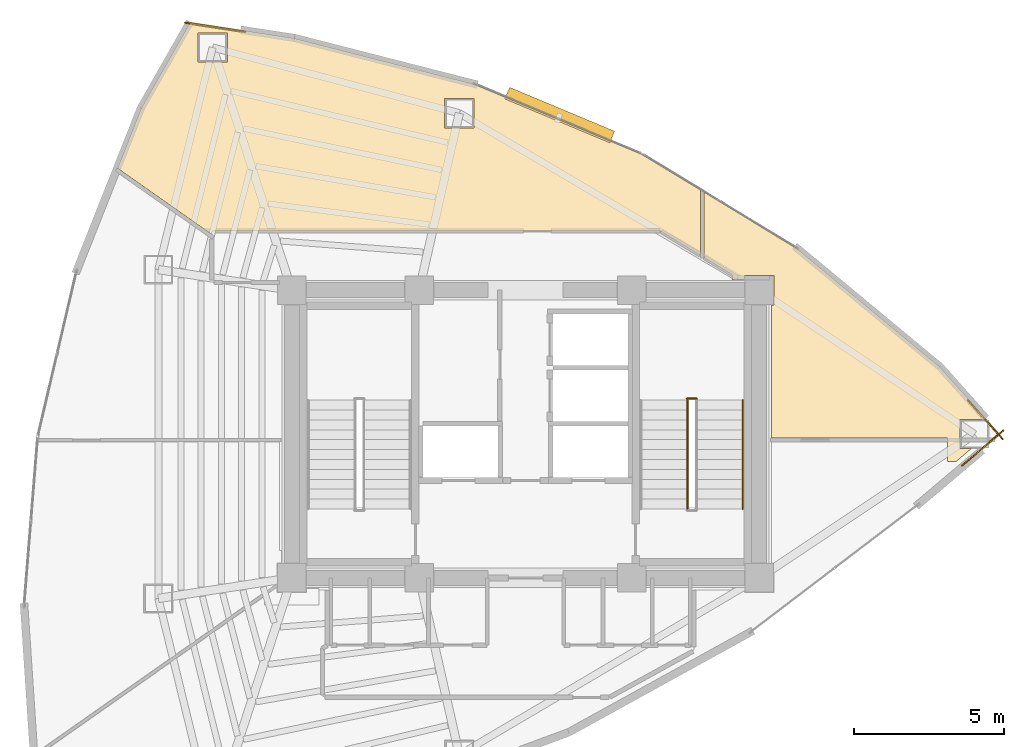
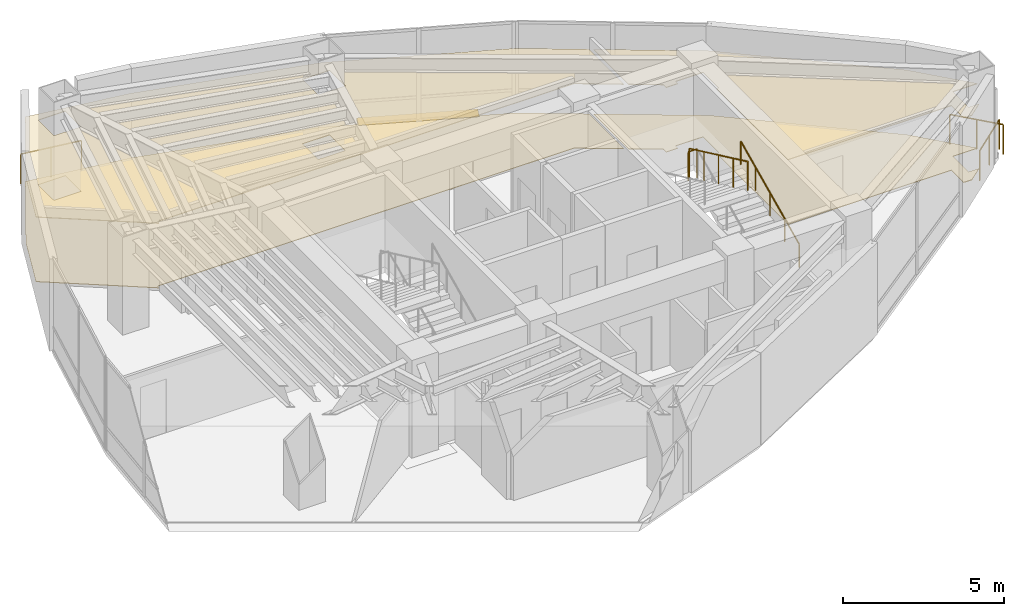
# One storey, part 15 of 15: 6 railings, 4 coverings, 1 shading device.
"""IFC4 building model written with IfcOpenShell, lengths in metres."""

from ifc_helpers import new_model, si_unit, direction, frame, origin, origin_2d, place, context, subcontext, project, spatial, polyline, rectangle, circle, outline, extrude, material, layer, layer_set, type_object, element, save


model = new_model("IFC4")

# Units and contexts
model_context = context("Model", 3, precision=1e-05, world=origin(), true_north=direction((0.0, 1.0)))
body_context = subcontext(model_context, "Body", "Model", "MODEL_VIEW")
ifc_project = project(units=[si_unit("LENGTHUNIT", "METRE"), si_unit("AREAUNIT", "SQUARE_METRE"), si_unit("VOLUMEUNIT", "CUBIC_METRE"), si_unit("PLANEANGLEUNIT", "RADIAN"), si_unit("MASSUNIT", "GRAM", prefix="KILO")], contexts=[model_context])

# Site, building, storey
site_placement = place(None, origin())
site = spatial("IfcSite", under=ifc_project, at=site_placement, CompositionType="ELEMENT")
building_placement = place(site_placement, origin())
building = spatial("IfcBuilding", under=site, at=building_placement, Name="Menara Vayukalpa", CompositionType="ELEMENT")
storey_placement = place(building_placement, frame((0.0, 0.0, 176.639892578125)))
storey = spatial("IfcBuildingStorey", under=building, at=storey_placement, Name="L44", CompositionType="ELEMENT", Elevation=176.639892578125)

# Coverings
ifc_material_1 = material(Name="Mineral Fibre Acoustic Ceiling Tile", Category="masonry")
ifc_layer_1 = layer(ifc_material_1, 0.02490234375)
ifc_layer_set_1 = layer_set([ifc_layer_1], Name="Mineral Fibre Acoustic Ceiling Tile")
covering_type_1 = type_object("IfcCoveringType", Name="COV-CLG1", PredefinedType="CEILING", material=ifc_layer_set_1)
covering_1_placement = place(storey_placement, frame((0.0, 0.0, 2.4501953125)))
element("IfcCovering", 1, at=covering_1_placement, inside=storey, type_object=covering_type_1, Name="L44 Executive Boardroom Acoustic Ceiling", PredefinedType="CEILING", context=body_context, shape_type="SweptSolid", body=[
    extrude(outline(polyline([(33.820068359375, 21.860107421875), (33.819091796875, 21.860107421875), (33.818115234375, 21.860107421875), (33.817138671875, 21.8603515625), (33.816162109375, 21.86083984375), (33.815185546875, 21.861083984375), (33.814453125, 21.86181640625), (33.813720703125, 21.8623046875), (33.81298828125, 21.86279296875), (33.812255859375, 21.86376953125), (33.811767578125, 21.864501953125), (33.811279296875, 21.865234375), (33.810791015625, 21.8662109375), (33.810302734375, 21.8671875), (33.810302734375, 21.867919921875), (33.81005859375, 21.868896484375), (33.81005859375, 21.8701171875), (33.81005859375, 26.31005859375), (33.889892578125, 26.31005859375), (33.889892578125, 27.2900390625), (32.909912109375, 27.2900390625), (32.909912109375, 27.14990234375), (32.489990234375, 27.14990234375), (32.489990234375, 27.322265625), (31.564697265625, 27.88427734375), (31.56396484375, 27.884765625), (31.563232421875, 27.885498046875), (31.5625, 27.88623046875), (31.561767578125, 27.886962890625), (31.561279296875, 27.887939453125), (31.560791015625, 27.888916015625), (31.560546875, 27.889892578125), (31.560302734375, 27.890869140625), (31.56005859375, 27.891845703125), (31.56005859375, 27.892822265625), (31.56005859375, 30.057373046875), (31.56005859375, 30.058349609375), (31.560302734375, 30.059326171875), (31.560302734375, 30.060302734375), (31.560791015625, 30.061279296875), (31.56103515625, 30.06201171875), (31.5615234375, 30.06298828125), (31.562255859375, 30.063720703125), (31.562744140625, 30.064453125), (31.5634765625, 30.06494140625), (31.564208984375, 30.065673828125), (31.565185546875, 30.066162109375), (31.56591796875, 30.06640625), (31.56689453125, 30.06689453125), (31.56787109375, 30.067138671875), (31.568603515625, 30.0673828125), (31.569580078125, 30.0673828125), (31.570556640625, 30.0673828125), (31.571533203125, 30.0673828125), (31.572509765625, 30.067138671875), (31.573486328125, 30.06689453125), (31.57421875, 30.06640625), (31.5751953125, 30.06591796875), (34.660888671875, 28.19140625), (34.662109375, 28.190673828125), (39.431640625, 24.2353515625), (39.43212890625, 24.23486328125), (39.432861328125, 24.234375), (40.98828125, 22.489990234375), (40.1005859375, 22.489990234375), (40.1005859375, 21.510009765625), (40.47802734375, 21.510009765625), (39.981689453125, 21.090087890625), (39.680419921875, 21.090087890625), (39.680419921875, 21.860107421875), (33.820068359375, 21.860107421875)])), origin(), (0.0, 0.0, 1.0), 0.02490234375),
])
covering_2_placement = place(storey_placement, frame((0.0, 0.0, 2.4501953125)))
element("IfcCovering", 2, at=covering_2_placement, inside=storey, type_object=covering_type_1, Name="L44 Client Conference Room Acoustic Ceiling", PredefinedType="CEILING", context=body_context, shape_type="SweptSolid", body=[
    extrude(outline(polyline([(14.402099609375, 35.739013671875), (14.40283203125, 35.73974609375), (14.4033203125, 35.740478515625), (14.404052734375, 35.7412109375), (14.40478515625, 35.741943359375), (14.40576171875, 35.742431640625), (14.406494140625, 35.742919921875), (14.407470703125, 35.743408203125), (14.408447265625, 35.74365234375), (14.409423828125, 35.743896484375), (14.410400390625, 35.743896484375), (14.411376953125, 35.743896484375), (14.412353515625, 35.743896484375), (17.879150390625, 35.2109375), (17.880126953125, 35.210693359375), (23.884765625, 33.67919921875), (23.885986328125, 33.6787109375), (29.478515625, 31.33935546875), (29.479248046875, 31.339111328125), (29.47998046875, 31.338623046875), (31.435546875, 30.150634765625), (31.436279296875, 30.150146484375), (31.43701171875, 30.149658203125), (31.437744140625, 30.14892578125), (31.4384765625, 30.148193359375), (31.43896484375, 30.1474609375), (31.439453125, 30.146484375), (31.439697265625, 30.1455078125), (31.440185546875, 30.144775390625), (31.440185546875, 30.143798828125), (31.4404296875, 30.142822265625), (31.4404296875, 30.141845703125), (31.440185546875, 30.140869140625), (31.440185546875, 30.140380859375), (31.43994140625, 30.134765625), (31.43994140625, 27.977783203125), (31.43994140625, 27.976806640625), (31.439697265625, 27.97607421875), (31.439697265625, 27.97509765625), (31.439208984375, 27.97412109375), (31.43896484375, 27.973388671875), (31.4384765625, 27.972412109375), (31.437744140625, 27.9716796875), (31.437255859375, 27.970947265625), (31.4365234375, 27.97021484375), (31.435791015625, 27.9697265625), (31.434814453125, 27.96923828125), (31.43408203125, 27.96875), (31.43310546875, 27.968505859375), (31.43212890625, 27.968017578125), (31.431396484375, 27.968017578125), (31.430419921875, 27.968017578125), (31.429443359375, 27.968017578125), (31.428466796875, 27.968017578125), (31.427490234375, 27.96826171875), (31.426513671875, 27.968505859375), (31.42578125, 27.968994140625), (31.4248046875, 27.969482421875), (30.12353515625, 28.759765625), (30.117919921875, 28.762939453125), (30.112060546875, 28.765380859375), (30.10595703125, 28.767333984375), (30.099609375, 28.768798828125), (30.093505859375, 28.769775390625), (30.0869140625, 28.77001953125), (15.2001953125, 28.77001953125), (15.193115234375, 28.76953125), (15.186279296875, 28.768798828125), (15.1796875, 28.76708984375), (15.173095703125, 28.7646484375), (15.1669921875, 28.76171875), (15.1611328125, 28.75830078125), (15.155517578125, 28.75390625), (15.150390625, 28.74951171875), (15.14599609375, 28.744384765625), (15.141845703125, 28.73876953125), (15.13818359375, 28.73291015625), (15.13525390625, 28.726806640625), (15.133056640625, 28.72021484375), (15.13134765625, 28.713623046875), (15.13037109375, 28.706787109375), (15.1298828125, 28.69970703125), (15.1298828125, 28.677001953125), (15.1298828125, 28.67578125), (15.1298828125, 28.6748046875), (15.129638671875, 28.674072265625), (15.129150390625, 28.673095703125), (15.12890625, 28.672119140625), (15.12841796875, 28.67138671875), (15.127685546875, 28.67041015625), (15.126953125, 28.669921875), (15.126220703125, 28.669189453125), (15.12548828125, 28.66845703125), (15.12451171875, 28.66796875), (15.123779296875, 28.66748046875), (15.122802734375, 28.667236328125), (15.121826171875, 28.6669921875), (15.120849609375, 28.6669921875), (15.119873046875, 28.6669921875), (15.118896484375, 28.6669921875), (15.117919921875, 28.6669921875), (15.116943359375, 28.66748046875), (15.115966796875, 28.667724609375), (15.114990234375, 28.668212890625), (15.1142578125, 28.668701171875), (11.985107421875, 30.867431640625), (11.984375, 30.8681640625), (11.983642578125, 30.868896484375), (11.983154296875, 30.869384765625), (11.982421875, 30.8701171875), (11.98193359375, 30.87109375), (11.981689453125, 30.871826171875), (11.981201171875, 30.872802734375), (11.981201171875, 30.873779296875), (11.98095703125, 30.874755859375), (11.98095703125, 30.875732421875), (11.98095703125, 30.876708984375), (11.981201171875, 30.87744140625), (11.981201171875, 30.87841796875), (11.981689453125, 30.87939453125), (12.77001953125, 32.87255859375), (12.7705078125, 32.873779296875), (14.402099609375, 35.739013671875)]), holes=[polyline([(15.644775390625, 35.392578125), (14.664794921875, 35.392578125), (14.664794921875, 34.41259765625), (15.644775390625, 34.41259765625), (15.644775390625, 35.392578125)]), polyline([(23.87939453125, 33.198486328125), (22.8994140625, 33.198486328125), (22.8994140625, 32.218505859375), (23.87939453125, 32.218505859375), (23.87939453125, 33.198486328125)])]), origin(), (0.0, 0.0, 1.0), 0.02490234375),
])
ifc_material_2 = material(Name="Porcelain Stoneware Floor Tile", Category="masonry")
ifc_layer_2 = layer(ifc_material_2, 0.02001953125)
ifc_layer_set_2 = layer_set([ifc_layer_2], Name="Porcelain Stoneware Floor Tile")
covering_type_2 = type_object("IfcCoveringType", Name="COV-FLR1", PredefinedType="FLOORING", material=ifc_layer_set_2)
covering_3_placement = place(storey_placement, origin())
element("IfcCovering", 3, at=covering_3_placement, inside=storey, type_object=covering_type_2, Name="L44 Executive Boardroom Porcelain Flooring", PredefinedType="FLOORING", context=body_context, shape_type="SweptSolid", body=[
    extrude(outline(polyline([(33.820068359375, 21.860107421875), (33.819091796875, 21.860107421875), (33.818115234375, 21.860107421875), (33.817138671875, 21.8603515625), (33.816162109375, 21.86083984375), (33.815185546875, 21.861083984375), (33.814453125, 21.86181640625), (33.813720703125, 21.8623046875), (33.81298828125, 21.86279296875), (33.812255859375, 21.86376953125), (33.811767578125, 21.864501953125), (33.811279296875, 21.865234375), (33.810791015625, 21.8662109375), (33.810302734375, 21.8671875), (33.810302734375, 21.867919921875), (33.81005859375, 21.868896484375), (33.81005859375, 21.8701171875), (33.81005859375, 26.31005859375), (33.889892578125, 26.31005859375), (33.889892578125, 27.2900390625), (32.909912109375, 27.2900390625), (32.909912109375, 27.14990234375), (32.489990234375, 27.14990234375), (32.489990234375, 27.322265625), (31.564697265625, 27.88427734375), (31.56396484375, 27.884765625), (31.563232421875, 27.885498046875), (31.5625, 27.88623046875), (31.561767578125, 27.886962890625), (31.561279296875, 27.887939453125), (31.560791015625, 27.888916015625), (31.560546875, 27.889892578125), (31.560302734375, 27.890869140625), (31.56005859375, 27.891845703125), (31.56005859375, 27.892822265625), (31.56005859375, 30.057373046875), (31.56005859375, 30.058349609375), (31.560302734375, 30.059326171875), (31.560302734375, 30.060302734375), (31.560791015625, 30.061279296875), (31.56103515625, 30.06201171875), (31.5615234375, 30.06298828125), (31.562255859375, 30.063720703125), (31.562744140625, 30.064453125), (31.5634765625, 30.06494140625), (31.564208984375, 30.065673828125), (31.565185546875, 30.066162109375), (31.56591796875, 30.06640625), (31.56689453125, 30.06689453125), (31.56787109375, 30.067138671875), (31.568603515625, 30.0673828125), (31.569580078125, 30.0673828125), (31.570556640625, 30.0673828125), (31.571533203125, 30.0673828125), (31.572509765625, 30.067138671875), (31.573486328125, 30.06689453125), (31.57421875, 30.06640625), (31.5751953125, 30.06591796875), (34.660888671875, 28.19140625), (34.662109375, 28.190673828125), (39.431640625, 24.2353515625), (39.43212890625, 24.23486328125), (39.432861328125, 24.234375), (40.98828125, 22.489990234375), (40.1005859375, 22.489990234375), (40.1005859375, 21.510009765625), (40.47802734375, 21.510009765625), (39.981689453125, 21.090087890625), (39.680419921875, 21.090087890625), (39.680419921875, 21.860107421875), (33.820068359375, 21.860107421875)])), origin(), (0.0, 0.0, 1.0), 0.02001953125),
])
covering_4_placement = place(storey_placement, origin())
element("IfcCovering", 4, at=covering_4_placement, inside=storey, type_object=covering_type_2, Name="L44 Client Conference Room Porcelain Flooring", PredefinedType="FLOORING", context=body_context, shape_type="SweptSolid", body=[
    extrude(outline(polyline([(14.402099609375, 35.739013671875), (14.40283203125, 35.73974609375), (14.4033203125, 35.740478515625), (14.404052734375, 35.7412109375), (14.40478515625, 35.741943359375), (14.40576171875, 35.742431640625), (14.406494140625, 35.742919921875), (14.407470703125, 35.743408203125), (14.408447265625, 35.74365234375), (14.409423828125, 35.743896484375), (14.410400390625, 35.743896484375), (14.411376953125, 35.743896484375), (14.412353515625, 35.743896484375), (17.879150390625, 35.2109375), (17.880126953125, 35.210693359375), (23.884765625, 33.67919921875), (23.885986328125, 33.6787109375), (29.478515625, 31.33935546875), (29.479248046875, 31.339111328125), (29.47998046875, 31.338623046875), (31.435546875, 30.150634765625), (31.436279296875, 30.150146484375), (31.43701171875, 30.149658203125), (31.437744140625, 30.14892578125), (31.4384765625, 30.148193359375), (31.43896484375, 30.1474609375), (31.439453125, 30.146484375), (31.439697265625, 30.1455078125), (31.440185546875, 30.144775390625), (31.440185546875, 30.143798828125), (31.4404296875, 30.142822265625), (31.4404296875, 30.141845703125), (31.440185546875, 30.140869140625), (31.440185546875, 30.140380859375), (31.43994140625, 30.134765625), (31.43994140625, 27.977783203125), (31.43994140625, 27.976806640625), (31.439697265625, 27.97607421875), (31.439697265625, 27.97509765625), (31.439208984375, 27.97412109375), (31.43896484375, 27.973388671875), (31.4384765625, 27.972412109375), (31.437744140625, 27.9716796875), (31.437255859375, 27.970947265625), (31.4365234375, 27.97021484375), (31.435791015625, 27.9697265625), (31.434814453125, 27.96923828125), (31.43408203125, 27.96875), (31.43310546875, 27.968505859375), (31.43212890625, 27.968017578125), (31.431396484375, 27.968017578125), (31.430419921875, 27.968017578125), (31.429443359375, 27.968017578125), (31.428466796875, 27.968017578125), (31.427490234375, 27.96826171875), (31.426513671875, 27.968505859375), (31.42578125, 27.968994140625), (31.4248046875, 27.969482421875), (30.12353515625, 28.759765625), (30.117919921875, 28.762939453125), (30.112060546875, 28.765380859375), (30.10595703125, 28.767333984375), (30.099609375, 28.768798828125), (30.093505859375, 28.769775390625), (30.0869140625, 28.77001953125), (15.2001953125, 28.77001953125), (15.193115234375, 28.76953125), (15.186279296875, 28.768798828125), (15.1796875, 28.76708984375), (15.173095703125, 28.7646484375), (15.1669921875, 28.76171875), (15.1611328125, 28.75830078125), (15.155517578125, 28.75390625), (15.150390625, 28.74951171875), (15.14599609375, 28.744384765625), (15.141845703125, 28.73876953125), (15.13818359375, 28.73291015625), (15.13525390625, 28.726806640625), (15.133056640625, 28.72021484375), (15.13134765625, 28.713623046875), (15.13037109375, 28.706787109375), (15.1298828125, 28.69970703125), (15.1298828125, 28.677001953125), (15.1298828125, 28.67578125), (15.1298828125, 28.6748046875), (15.129638671875, 28.674072265625), (15.129150390625, 28.673095703125), (15.12890625, 28.672119140625), (15.12841796875, 28.67138671875), (15.127685546875, 28.67041015625), (15.126953125, 28.669921875), (15.126220703125, 28.669189453125), (15.12548828125, 28.66845703125), (15.12451171875, 28.66796875), (15.123779296875, 28.66748046875), (15.122802734375, 28.667236328125), (15.121826171875, 28.6669921875), (15.120849609375, 28.6669921875), (15.119873046875, 28.6669921875), (15.118896484375, 28.6669921875), (15.117919921875, 28.6669921875), (15.116943359375, 28.66748046875), (15.115966796875, 28.667724609375), (15.114990234375, 28.668212890625), (15.1142578125, 28.668701171875), (11.985107421875, 30.867431640625), (11.984375, 30.8681640625), (11.983642578125, 30.868896484375), (11.983154296875, 30.869384765625), (11.982421875, 30.8701171875), (11.98193359375, 30.87109375), (11.981689453125, 30.871826171875), (11.981201171875, 30.872802734375), (11.981201171875, 30.873779296875), (11.98095703125, 30.874755859375), (11.98095703125, 30.875732421875), (11.98095703125, 30.876708984375), (11.981201171875, 30.87744140625), (11.981201171875, 30.87841796875), (11.981689453125, 30.87939453125), (12.77001953125, 32.87255859375), (12.7705078125, 32.873779296875), (14.402099609375, 35.739013671875)]), holes=[polyline([(15.644775390625, 35.392578125), (14.664794921875, 35.392578125), (14.664794921875, 34.41259765625), (15.644775390625, 34.41259765625), (15.644775390625, 35.392578125)]), polyline([(23.87939453125, 33.198486328125), (22.8994140625, 33.198486328125), (22.8994140625, 32.218505859375), (23.87939453125, 32.218505859375), (23.87939453125, 33.198486328125)])]), origin(), (0.0, 0.0, 1.0), 0.02001953125),
])

# Railings
ifc_material_3 = material(Name="Laminated Glass and Stainless Steel 316 Guardrail", Category="steel")
railing_type_1 = type_object("IfcRailingType", Name="RLG-EXT115", PredefinedType="GUARDRAIL", material=ifc_material_3)
railing_1_placement = place(storey_placement, frame((40.174072265625, 20.95166015625, 0.0)))
element("IfcRailing", 5, at=railing_1_placement, inside=storey, type_object=railing_type_1, Name="L44 Column Corner Spandrel Guardrail 01-1", PredefinedType="GUARDRAIL", context=body_context, shape_type="SweptSolid", body=[
    extrude(circle(Radius=0.02392578125, at=origin_2d()), frame((0.0, 0.0, 1.1259765625), z_axis=(0.763483853342, 0.645826916198, 0.0), x_axis=(-0.645826916198, 0.763483853342, 0.0)), (0.0, 0.0, 1.0), 1.80322265625),
    extrude(circle(Radius=0.02099609375, at=origin_2d()), origin(), (0.0, 0.0, 1.0), 1.101806640625),
    extrude(circle(Radius=0.02099609375, at=origin_2d()), frame((0.6884765625, 0.582275390625, 0.0)), (0.0, 0.0, 1.0), 1.101806640625),
    extrude(circle(Radius=0.02099609375, at=origin_2d()), frame((1.376708984375, 1.16455078125, 0.0)), (0.0, 0.0, 1.0), 1.101806640625),
])
railing_2_placement = place(storey_placement, frame((41.5302734375, 21.822021484375, 0.0)))
element("IfcRailing", 6, at=railing_2_placement, inside=storey, type_object=railing_type_1, Name="L44 Column Corner Spandrel Guardrail 02-1", PredefinedType="GUARDRAIL", context=body_context, shape_type="SweptSolid", body=[
    extrude(circle(Radius=0.02392578125, at=origin_2d()), frame((0.0, 0.0, 1.1259765625), z_axis=(-0.665572926264, 0.746332821082, 0.0), x_axis=(-0.746332821082, -0.665572926264, 0.0)), (0.0, 0.0, 1.0), 1.75341796875),
    extrude(circle(Radius=0.02099609375, at=origin_2d()), origin(), (0.0, 0.0, 1.0), 1.101806640625),
    extrude(circle(Radius=0.02099609375, at=origin_2d()), frame((-0.58349609375, 0.654296875, 0.0)), (0.0, 0.0, 1.0), 1.101806640625),
    extrude(circle(Radius=0.02099609375, at=origin_2d()), frame((-1.1669921875, 1.30859375, 0.0)), (0.0, 0.0, 1.0), 1.101806640625),
])
railing_3_placement = place(storey_placement, frame((16.241455078125, 35.422119140625, 0.0)))
element("IfcRailing", 7, at=railing_3_placement, inside=storey, type_object=railing_type_1, Name="L44 Column Corner Spandrel Guardrail 07-1", PredefinedType="GUARDRAIL", context=body_context, shape_type="SweptSolid", body=[
    extrude(circle(Radius=0.02392578125, at=origin_2d()), frame((0.0, 0.0, 1.1259765625), z_axis=(-0.988382815583, 0.151984900109, 0.0), x_axis=(-0.151984900109, -0.988382815583, 0.0)), (0.0, 0.0, 1.0), 2.030517578125),
    extrude(circle(Radius=0.02099609375, at=origin_2d()), origin(), (0.0, 0.0, 1.0), 1.101806640625),
    extrude(circle(Radius=0.02099609375, at=origin_2d()), frame((-1.00341796875, 0.154296875, 0.0)), (0.0, 0.0, 1.0), 1.101806640625),
    extrude(circle(Radius=0.02099609375, at=origin_2d()), frame((-2.0068359375, 0.30859375, 0.0)), (0.0, 0.0, 1.0), 1.101806640625),
])
ifc_material_4 = material(Name="Powder-Coated Galvanised Steel Guardrail", Category="steel")
railing_type_2 = type_object("IfcRailingType", Name="RLG-STG110", PredefinedType="GUARDRAIL", material=ifc_material_4)
railing_4_placement = place(storey_placement, frame((31.31005859375, 23.179931640625, 1.860107421875)))
element("IfcRailing", 8, at=railing_4_placement, inside=storey, type_object=railing_type_2, Name="L44 ST-2 stair guard 2", PredefinedType="GUARDRAIL", context=body_context, shape_type="SweptSolid", body=[
    extrude(circle(Radius=0.02392578125, at=origin_2d()), frame((0.0, 0.0, 1.09619140625), z_axis=(-1.0, 0.0, 0.0), x_axis=(0.0, -1.0, 0.0)), (0.0, 0.0, 1.0), 0.320068359375),
    extrude(circle(Radius=0.02099609375, at=origin_2d()), origin(), (0.0, 0.0, 1.0), 1.072021484375),
    extrude(circle(Radius=0.02099609375, at=origin_2d()), frame((-0.320068359375, 0.0, 0.0)), (0.0, 0.0, 1.0), 1.072021484375),
])
railing_5_placement = place(storey_placement, frame((31.0, 23.1298828125, 2.01513671875)))
element("IfcRailing", 9, at=railing_5_placement, inside=storey, type_object=railing_type_2, Name="L44 ST-2 stair guard 3", PredefinedType="GUARDRAIL", context=body_context, shape_type="SweptSolid", body=[
    extrude(circle(Radius=0.02392578125, at=origin_2d()), frame((0.0, 0.0, 1.09619140625), z_axis=(0.0, -0.90511648382, 0.425163675209), x_axis=(1.0, 0.0, 0.0)), (0.0, 0.0, 1.0), 4.010498046875),
    extrude(circle(Radius=0.02099609375, at=origin_2d()), origin(), (0.0, 0.0, 1.0), 1.072021484375),
    extrude(circle(Radius=0.02099609375, at=origin_2d()), frame((0.0, -0.907470703125, 0.42626953125)), (0.0, 0.0, 1.0), 1.072021484375),
    extrude(circle(Radius=0.02099609375, at=origin_2d()), frame((0.0, -1.81494140625, 0.8525390625)), (0.0, 0.0, 1.0), 1.072021484375),
    extrude(circle(Radius=0.02099609375, at=origin_2d()), frame((0.0, -2.722412109375, 1.27880859375)), (0.0, 0.0, 1.0), 1.072021484375),
    extrude(circle(Radius=0.02099609375, at=origin_2d()), frame((0.0, -3.6298828125, 1.705078125)), (0.0, 0.0, 1.0), 1.072021484375),
])
ifc_material_5 = material(Name="Stainless Steel 316 Tubular Handrail", Category="steel")
railing_type_3 = type_object("IfcRailingType", Name="RLG-STH090", PredefinedType="HANDRAIL", material=ifc_material_5)
railing_6_placement = place(storey_placement, frame((32.85009765625, 19.5, 0.155029296875)))
element("IfcRailing", 10, at=railing_6_placement, inside=storey, type_object=railing_type_3, Name="L44 ST-2 stair handrail 1", PredefinedType="HANDRAIL", context=body_context, shape_type="SweptSolid", body=[
    extrude(circle(Radius=0.02392578125, at=origin_2d()), frame((0.0, 0.0, 0.8759765625), z_axis=(0.0, 0.90511648382, 0.425163675209), x_axis=(-1.0, 0.0, 0.0)), (0.0, 0.0, 1.0), 4.010498046875),
    extrude(circle(Radius=0.02099609375, at=origin_2d()), origin(), (0.0, 0.0, 1.0), 0.851806640625),
    extrude(circle(Radius=0.02099609375, at=origin_2d()), frame((0.0, 0.907470703125, 0.42626953125)), (0.0, 0.0, 1.0), 0.851806640625),
    extrude(circle(Radius=0.02099609375, at=origin_2d()), frame((0.0, 1.81494140625, 0.8525390625)), (0.0, 0.0, 1.0), 0.851806640625),
    extrude(circle(Radius=0.02099609375, at=origin_2d()), frame((0.0, 2.722412109375, 1.27880859375)), (0.0, 0.0, 1.0), 0.851806640625),
    extrude(circle(Radius=0.02099609375, at=origin_2d()), frame((0.0, 3.6298828125, 1.705078125)), (0.0, 0.0, 1.0), 0.851806640625),
])

# Shading device
ifc_material_6 = material(Name="Glazed Terracotta Ceramic Baguette Extrusion", Category="masonry")
ifc_layer_3 = layer(ifc_material_6, 0.1201171875)
ifc_layer_set_3 = layer_set([ifc_layer_3], Name="Glazed Terracotta Ceramic Baguette Extrusion")
shading_device_type = type_object("IfcShadingDeviceType", Name="SHD-SS1", PredefinedType="USERDEFINED", material=ifc_layer_set_3)
shading_device_placement = place(storey_placement, frame((26.740234375, 32.6474609375, -0.099853515625), z_axis=(0.0, 0.0, 1.0), x_axis=(-0.922538089456, 0.385906042324, 0.0)))
element("IfcShadingDevice", 11, at=shading_device_placement, inside=storey, type_object=shading_device_type, Name="L44 Horizontal Terracotta Sunshade Band 05", ObjectType="SUNSHADE", PredefinedType="USERDEFINED", context=body_context, shape_type="SweptSolid", body=[
    extrude(rectangle(XDim=3.800048828125, YDim=0.419921875, at=origin_2d()), origin(), (0.0, 0.0, 1.0), 0.1201171875),
])

save(model, "model.ifc")
